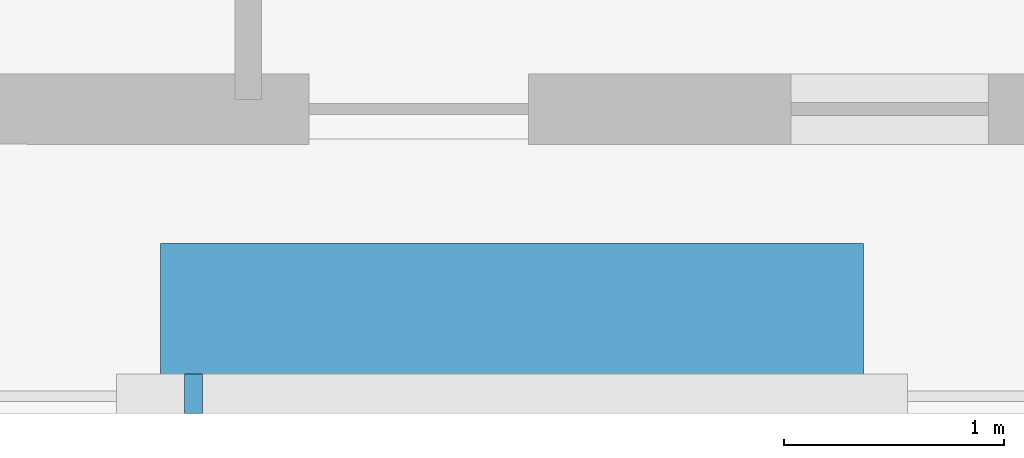
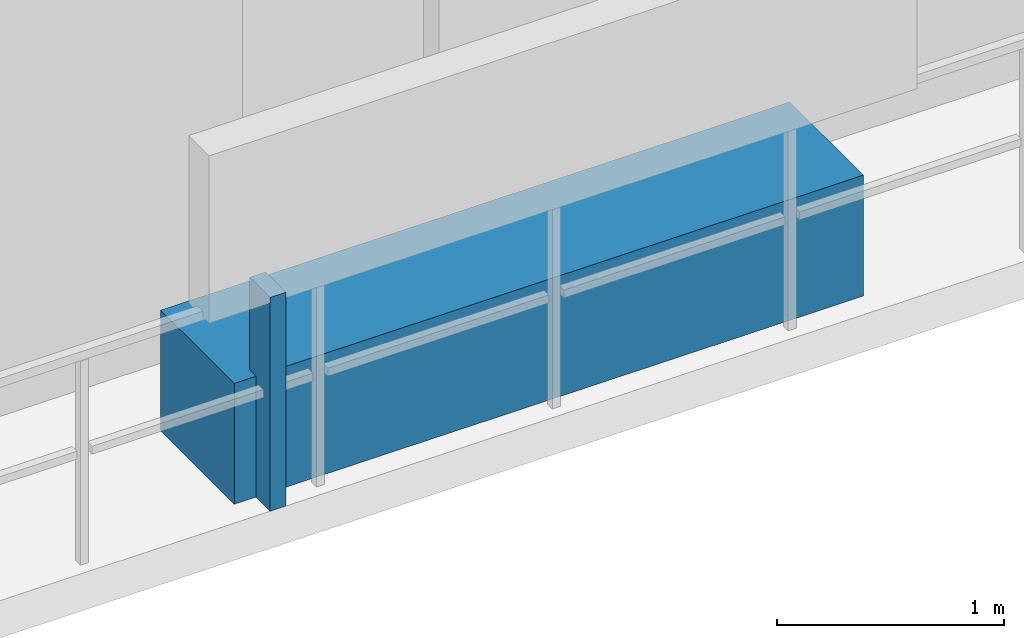
# One storey, part 29 of 33: 2 discrete accessories.
"""IFC4 building model written with IfcOpenShell, lengths in metres."""

from ifc_helpers import new_model, si_unit, direction, frame, origin, origin_2d, place, context, subcontext, project, spatial, rectangle, extrude, material, type_object, element, save


model = new_model("IFC4")

# Units and contexts
model_context = context("Model", 3, precision=1e-05, world=origin(), true_north=direction((0.0, 1.0)))
body_context = subcontext(model_context, "Body", "Model", "MODEL_VIEW")
ifc_project = project(units=[si_unit("LENGTHUNIT", "METRE"), si_unit("AREAUNIT", "SQUARE_METRE"), si_unit("VOLUMEUNIT", "CUBIC_METRE"), si_unit("PLANEANGLEUNIT", "RADIAN"), si_unit("MASSUNIT", "GRAM", prefix="KILO")], contexts=[model_context])

# Site, building, storey
site_placement = place(None, origin())
site = spatial("IfcSite", under=ifc_project, at=site_placement, CompositionType="ELEMENT")
building_placement = place(site_placement, origin())
building = spatial("IfcBuilding", under=site, at=building_placement, Name="Thornwick Lancets Civic Towers", CompositionType="ELEMENT")
storey_placement = place(building_placement, frame((0.0, 0.0, 214.5)))
storey = spatial("IfcBuildingStorey", under=building, at=storey_placement, Name="L57", CompositionType="ELEMENT", Elevation=214.5)

# Discrete accessories
ifc_material_1 = material(Name="Planted terracotta greenery planter", Category="masonry")
discrete_accessory_type_1 = type_object("IfcDiscreteAccessoryType", Name="ACC_PLANTER_BOX", PredefinedType="USERDEFINED", material=ifc_material_1)
discrete_accessory_1_placement = place(storey_placement, frame((88.5, 2.300048828125, 0.0), z_axis=(0.0, 0.0, 1.0), x_axis=(1.0, 0.0, 0.0)))
element("IfcDiscreteAccessory", 1, at=discrete_accessory_1_placement, inside=storey, type_object=discrete_accessory_type_1, Name="L57 Tower B Balcony Greenery Planter S", ObjectType="PLANTER", PredefinedType="USERDEFINED", context=body_context, shape_type="SweptSolid", body=[
    extrude(rectangle(XDim=3.199951171875, YDim=0.64990234375, at=origin_2d()), origin(), (0.0, 0.0, 1.0), 0.64990234375),
])
ifc_material_2 = material(Name="Stainless steel S355", Category="steel")
discrete_accessory_type_2 = type_object("IfcDiscreteAccessoryType", Name="ACC_SCREEN_BRACKET", PredefinedType="BRACKET", material=ifc_material_2)
discrete_accessory_2_placement = place(storey_placement, frame((87.050048828125, 1.93994140625, 0.0), z_axis=(0.0, 0.0, 1.0), x_axis=(1.0, 0.0, 0.0)))
element("IfcDiscreteAccessory", 2, at=discrete_accessory_2_placement, inside=storey, type_object=discrete_accessory_type_2, Name="L57 Tower B Balcony Screen Stanchion Bracket S-1", PredefinedType="BRACKET", context=body_context, shape_type="SweptSolid", body=[
    extrude(rectangle(XDim=0.080078125, YDim=0.179931640625, at=origin_2d()), origin(), (0.0, 0.0, 1.0), 1.14990234375),
])

save(model, "model.ifc")
